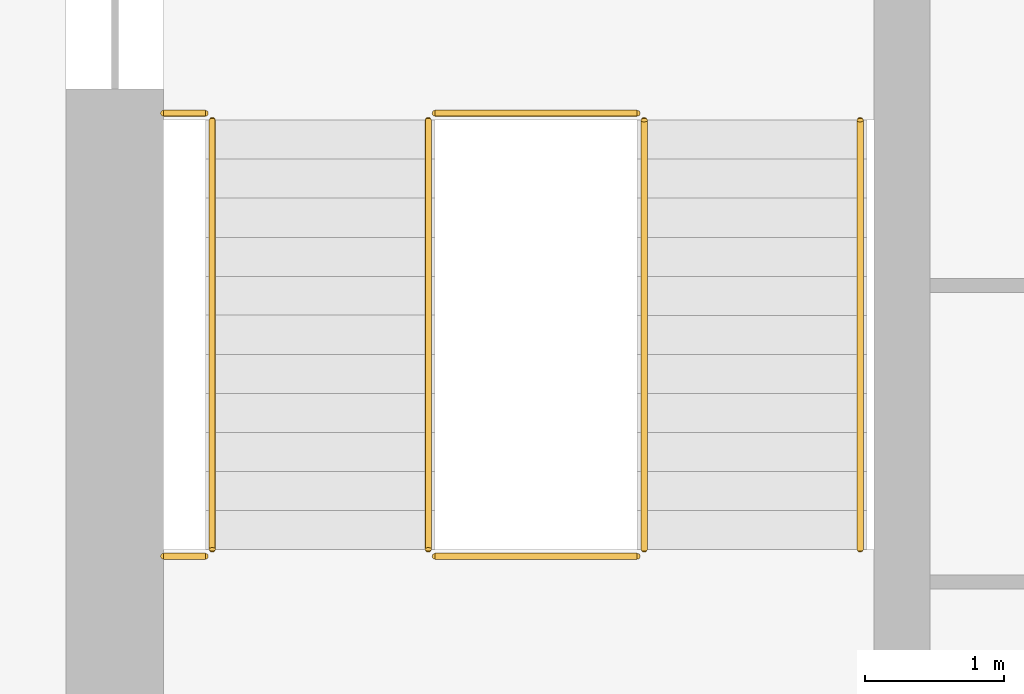
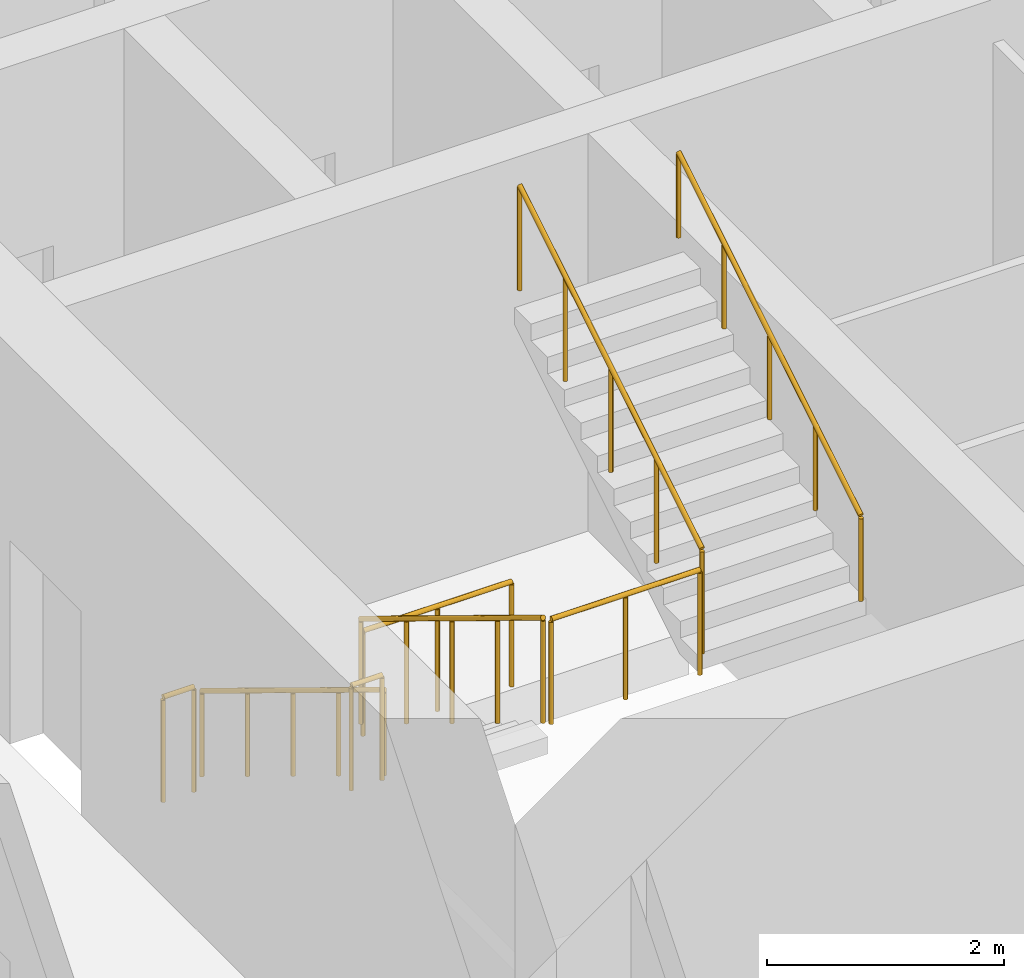
# One storey, part 10 of 17: 8 railings.
"""IFC4 building model written with IfcOpenShell, lengths in metres."""

from ifc_helpers import new_model, si_unit, direction, frame, origin, origin_2d, place, context, subcontext, project, spatial, circle, extrude, material, type_object, element, save


model = new_model("IFC4")

# Units and contexts
model_context = context("Model", 3, precision=1e-05, world=origin(), true_north=direction((0.0, 1.0)))
body_context = subcontext(model_context, "Body", "Model", "MODEL_VIEW")
ifc_project = project(units=[si_unit("LENGTHUNIT", "METRE"), si_unit("AREAUNIT", "SQUARE_METRE"), si_unit("VOLUMEUNIT", "CUBIC_METRE"), si_unit("PLANEANGLEUNIT", "RADIAN"), si_unit("MASSUNIT", "GRAM", prefix="KILO")], contexts=[model_context])

# Site, building, storey
site_placement = place(None, origin())
site = spatial("IfcSite", under=ifc_project, at=site_placement, CompositionType="ELEMENT")
building_placement = place(site_placement, origin())
building = spatial("IfcBuilding", under=site, at=building_placement, Name="Corbel Stack Research Tower", CompositionType="ELEMENT")
storey_placement = place(building_placement, frame((0.0, 0.0, 252.10009765625)))
storey = spatial("IfcBuildingStorey", under=building, at=storey_placement, Name="L57", CompositionType="ELEMENT", Elevation=252.10009765625)

# Railings
ifc_material_1 = material(Name="Steel S355", Category="steel")
railing_type_1 = type_object("IfcRailingType", Name="Stair guard 1100", PredefinedType="GUARDRAIL", material=ifc_material_1)
railing_1_placement = place(storey_placement, frame((-7.89990234375, -2.39990234375, 0.170654296875)))
element("IfcRailing", 1, at=railing_1_placement, inside=storey, type_object=railing_type_1, Name="L57 ST-W1 stair guard 1", PredefinedType="GUARDRAIL", context=body_context, shape_type="SweptSolid", body=[
    extrude(circle(Radius=0.02392578125, at=origin_2d()), frame((0.0, 0.0, 1.076171875), z_axis=(0.0, -0.853666305674, 0.52082035152), x_axis=(1.0, 0.0, 0.0)), (0.0, 0.0, 1.0), 3.608154296875),
    extrude(circle(Radius=0.02099609375, at=origin_2d()), origin(), (0.0, 0.0, 1.0), 1.052001953125),
    extrude(circle(Radius=0.02099609375, at=origin_2d()), frame((0.0, -0.77001953125, 0.4697265625)), (0.0, 0.0, 1.0), 1.052001953125),
    extrude(circle(Radius=0.02099609375, at=origin_2d()), frame((0.0, -1.5400390625, 0.939453125)), (0.0, 0.0, 1.0), 1.052001953125),
    extrude(circle(Radius=0.02099609375, at=origin_2d()), frame((0.0, -2.31005859375, 1.409423828125)), (0.0, 0.0, 1.0), 1.052001953125),
    extrude(circle(Radius=0.02099609375, at=origin_2d()), frame((0.0, -3.080078125, 1.879150390625)), (0.0, 0.0, 1.0), 1.052001953125),
])
railing_2_placement = place(storey_placement, frame((-7.85009765625, -5.530029296875, 2.0498046875)))
element("IfcRailing", 2, at=railing_2_placement, inside=storey, type_object=railing_type_1, Name="L57 ST-W1 stair guard 2", PredefinedType="GUARDRAIL", context=body_context, shape_type="SweptSolid", body=[
    extrude(circle(Radius=0.02392578125, at=origin_2d()), frame((0.0, 0.0, 1.076171875), z_axis=(1.0, 0.0, 0.0), x_axis=(0.0, 1.0, 0.0)), (0.0, 0.0, 1.0), 1.4501953125),
    extrude(circle(Radius=0.02099609375, at=origin_2d()), origin(), (0.0, 0.0, 1.0), 1.052001953125),
    extrude(circle(Radius=0.02099609375, at=origin_2d()), frame((0.72509765625, 0.0, 0.0)), (0.0, 0.0, 1.0), 1.052001953125),
    extrude(circle(Radius=0.02099609375, at=origin_2d()), frame((1.4501953125, 0.0, 0.0)), (0.0, 0.0, 1.0), 1.052001953125),
])
railing_3_placement = place(storey_placement, frame((-9.800048828125, -5.530029296875, 2.0498046875)))
element("IfcRailing", 3, at=railing_3_placement, inside=storey, type_object=railing_type_1, Name="L57 ST-W1 stair guard 3", PredefinedType="GUARDRAIL", context=body_context, shape_type="SweptSolid", body=[
    extrude(circle(Radius=0.02392578125, at=origin_2d()), frame((0.0, 0.0, 1.076171875), z_axis=(1.0, 0.0, 0.0), x_axis=(0.0, 1.0, 0.0)), (0.0, 0.0, 1.0), 0.300048828125),
    extrude(circle(Radius=0.02099609375, at=origin_2d()), origin(), (0.0, 0.0, 1.0), 1.052001953125),
    extrude(circle(Radius=0.02099609375, at=origin_2d()), frame((0.300048828125, 0.0, 0.0)), (0.0, 0.0, 1.0), 1.052001953125),
])
railing_4_placement = place(storey_placement, frame((-6.35009765625, -5.47998046875, 2.220703125)))
element("IfcRailing", 4, at=railing_4_placement, inside=storey, type_object=railing_type_1, Name="L57 ST-W1 stair guard 4", PredefinedType="GUARDRAIL", context=body_context, shape_type="SweptSolid", body=[
    extrude(circle(Radius=0.02392578125, at=origin_2d()), frame((0.0, 0.0, 1.076171875), z_axis=(0.0, 0.853666305674, 0.52082035152), x_axis=(-1.0, 0.0, 0.0)), (0.0, 0.0, 1.0), 3.608154296875),
    extrude(circle(Radius=0.02099609375, at=origin_2d()), origin(), (0.0, 0.0, 1.0), 1.052001953125),
    extrude(circle(Radius=0.02099609375, at=origin_2d()), frame((0.0, 0.77001953125, 0.4697265625)), (0.0, 0.0, 1.0), 1.052001953125),
    extrude(circle(Radius=0.02099609375, at=origin_2d()), frame((0.0, 1.5400390625, 0.939453125)), (0.0, 0.0, 1.0), 1.052001953125),
    extrude(circle(Radius=0.02099609375, at=origin_2d()), frame((0.0, 2.31005859375, 1.409423828125)), (0.0, 0.0, 1.0), 1.052001953125),
    extrude(circle(Radius=0.02099609375, at=origin_2d()), frame((0.0, 3.080078125, 1.879150390625)), (0.0, 0.0, 1.0), 1.052001953125),
])
railing_5_placement = place(storey_placement, frame((-7.85009765625, -2.35009765625, 0.0)))
element("IfcRailing", 5, at=railing_5_placement, inside=storey, type_object=railing_type_1, Name="L57 ST-W1 stair guard 5", PredefinedType="GUARDRAIL", context=body_context, shape_type="SweptSolid", body=[
    extrude(circle(Radius=0.02392578125, at=origin_2d()), frame((0.0, 0.0, 1.076171875), z_axis=(1.0, 0.0, 0.0), x_axis=(0.0, 1.0, 0.0)), (0.0, 0.0, 1.0), 1.4501953125),
    extrude(circle(Radius=0.02099609375, at=origin_2d()), origin(), (0.0, 0.0, 1.0), 1.052001953125),
    extrude(circle(Radius=0.02099609375, at=origin_2d()), frame((0.72509765625, 0.0, 0.0)), (0.0, 0.0, 1.0), 1.052001953125),
    extrude(circle(Radius=0.02099609375, at=origin_2d()), frame((1.4501953125, 0.0, 0.0)), (0.0, 0.0, 1.0), 1.052001953125),
])
railing_6_placement = place(storey_placement, frame((-9.800048828125, -2.35009765625, 0.0)))
element("IfcRailing", 6, at=railing_6_placement, inside=storey, type_object=railing_type_1, Name="L57 ST-W1 stair guard 6", PredefinedType="GUARDRAIL", context=body_context, shape_type="SweptSolid", body=[
    extrude(circle(Radius=0.02392578125, at=origin_2d()), frame((0.0, 0.0, 1.076171875), z_axis=(1.0, 0.0, 0.0), x_axis=(0.0, 1.0, 0.0)), (0.0, 0.0, 1.0), 0.300048828125),
    extrude(circle(Radius=0.02099609375, at=origin_2d()), origin(), (0.0, 0.0, 1.0), 1.052001953125),
    extrude(circle(Radius=0.02099609375, at=origin_2d()), frame((0.300048828125, 0.0, 0.0)), (0.0, 0.0, 1.0), 1.052001953125),
])
ifc_material_2 = material(Name="Steel S355", Category="steel")
railing_type_2 = type_object("IfcRailingType", Name="Stair handrail 900", PredefinedType="HANDRAIL", material=ifc_material_2)
railing_7_placement = place(storey_placement, frame((-9.449951171875, -2.39990234375, 0.170654296875)))
element("IfcRailing", 7, at=railing_7_placement, inside=storey, type_object=railing_type_2, Name="L57 ST-W1 stair handrail 1", PredefinedType="HANDRAIL", context=body_context, shape_type="SweptSolid", body=[
    extrude(circle(Radius=0.02392578125, at=origin_2d()), frame((0.0, 0.0, 0.8759765625), z_axis=(0.0, -0.853666305674, 0.52082035152), x_axis=(1.0, 0.0, 0.0)), (0.0, 0.0, 1.0), 3.608154296875),
    extrude(circle(Radius=0.02099609375, at=origin_2d()), origin(), (0.0, 0.0, 1.0), 0.851806640625),
    extrude(circle(Radius=0.02099609375, at=origin_2d()), frame((0.0, -0.77001953125, 0.4697265625)), (0.0, 0.0, 1.0), 0.851806640625),
    extrude(circle(Radius=0.02099609375, at=origin_2d()), frame((0.0, -1.5400390625, 0.939453125)), (0.0, 0.0, 1.0), 0.851806640625),
    extrude(circle(Radius=0.02099609375, at=origin_2d()), frame((0.0, -2.31005859375, 1.409423828125)), (0.0, 0.0, 1.0), 0.851806640625),
    extrude(circle(Radius=0.02099609375, at=origin_2d()), frame((0.0, -3.080078125, 1.879150390625)), (0.0, 0.0, 1.0), 0.851806640625),
])
railing_8_placement = place(storey_placement, frame((-4.800048828125, -5.47998046875, 2.220703125)))
element("IfcRailing", 8, at=railing_8_placement, inside=storey, type_object=railing_type_2, Name="L57 ST-W1 stair handrail 2", PredefinedType="HANDRAIL", context=body_context, shape_type="SweptSolid", body=[
    extrude(circle(Radius=0.02392578125, at=origin_2d()), frame((0.0, 0.0, 0.8759765625), z_axis=(0.0, 0.853666305674, 0.52082035152), x_axis=(-1.0, 0.0, 0.0)), (0.0, 0.0, 1.0), 3.608154296875),
    extrude(circle(Radius=0.02099609375, at=origin_2d()), origin(), (0.0, 0.0, 1.0), 0.851806640625),
    extrude(circle(Radius=0.02099609375, at=origin_2d()), frame((0.0, 0.77001953125, 0.4697265625)), (0.0, 0.0, 1.0), 0.851806640625),
    extrude(circle(Radius=0.02099609375, at=origin_2d()), frame((0.0, 1.5400390625, 0.939453125)), (0.0, 0.0, 1.0), 0.851806640625),
    extrude(circle(Radius=0.02099609375, at=origin_2d()), frame((0.0, 2.31005859375, 1.409423828125)), (0.0, 0.0, 1.0), 0.851806640625),
    extrude(circle(Radius=0.02099609375, at=origin_2d()), frame((0.0, 3.080078125, 1.879150390625)), (0.0, 0.0, 1.0), 0.851806640625),
])

save(model, "model.ifc")
